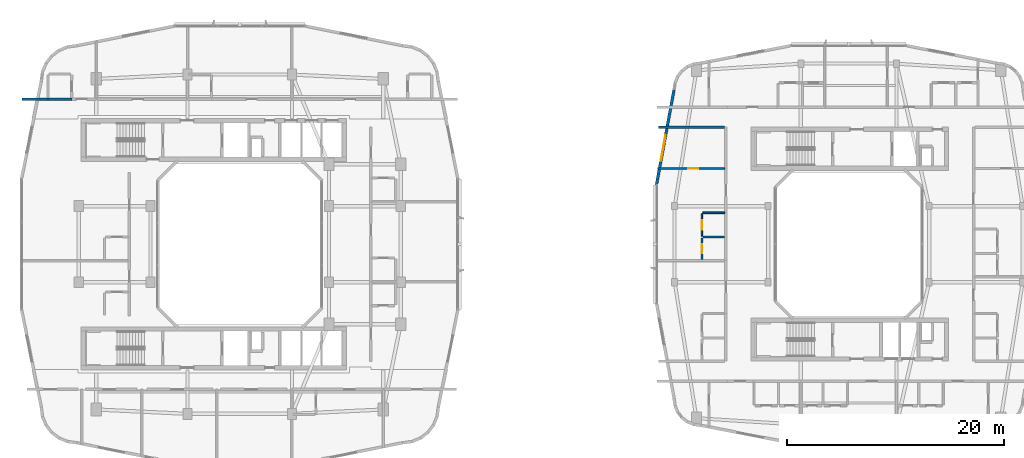
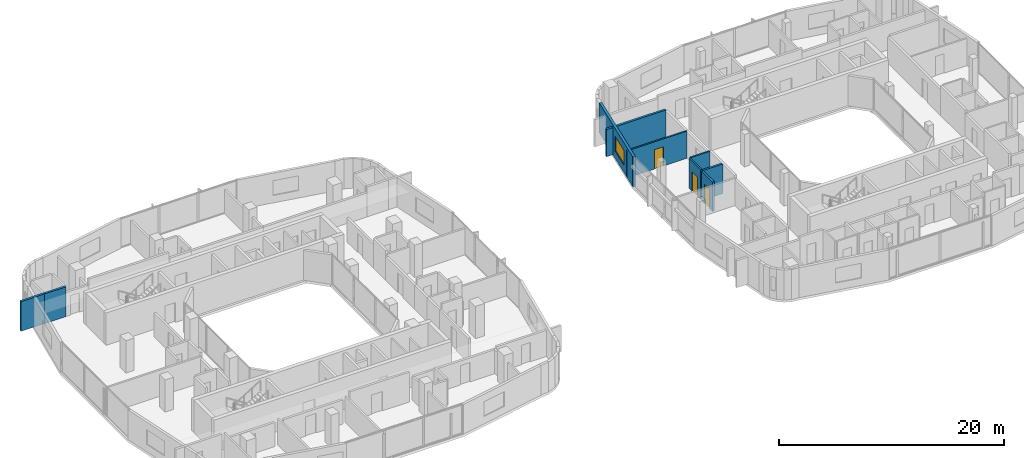
# One storey, part 15 of 26: 9 walls, 3 doors, 1 window, 4 openings.
"""IFC4 building model written with IfcOpenShell, lengths in metres."""

import ifcopenshell
import ifcopenshell.guid

model = None  # the IFC model being written
_history = None  # IfcOwnerHistory: only IFC2X3 demands one
_inside = {}  # id of a spatial element -> (the spatial element, [elements in it])
_under = {}  # id of a project, library or spatial element -> (it, [spatial elements below it])
_declared = {}  # id of a project -> (the project, [libraries it declares])
_typed = {}  # id of a type object -> (the type object, [elements of that type])
_made_of = {}  # id of a material, layer set ... -> (it, [elements and type objects made of it])


def new_model(schema):
    """Start an empty IFC model of exactly this schema.

    Asked for "IFC4X3", IfcOpenShell would pick the latest addendum, in which some entities
    have other attributes; the version numbers below select the first issue.
    IFC2X3 requires an IfcOwnerHistory on every rooted entity: one is made here for all.
    """
    global model, _history
    if schema == "IFC4X3":
        model = ifcopenshell.file(schema_version=(4, 3, 0, 0))
    else:
        model = ifcopenshell.file(schema=schema)
    _inside.clear()
    _under.clear()
    _declared.clear()
    _typed.clear()
    _made_of.clear()
    _history = None
    if model.schema == "IFC2X3":
        org = make("IfcOrganization", Name="unknown")
        user = make(
            "IfcPersonAndOrganization",
            ThePerson=make("IfcPerson", FamilyName="unknown"),
            TheOrganization=org,
        )
        app = make(
            "IfcApplication",
            ApplicationDeveloper=org,
            Version="unknown",
            ApplicationFullName="unknown",
            ApplicationIdentifier="unknown",
        )
        _history = make(
            "IfcOwnerHistory",
            OwningUser=user,
            OwningApplication=app,
            ChangeAction="ADDED",
            CreationDate=0,
        )
    return model


def make(cls, **values):
    """One entity of the class cls with the attributes given. An attribute that is None is left unset."""
    return model.create_entity(
        cls, **{name: value for name, value in values.items() if value is not None}
    )


def rooted(cls, **values):
    """An entity with a GlobalId (a new one), such as an element, a storey or a relation."""
    return make(cls, GlobalId=ifcopenshell.guid.new(), OwnerHistory=_history, **values)


def si_unit(unit_type, name, prefix=None):
    """IfcSIUnit, for example si_unit("LENGTHUNIT", "METRE", prefix="MILLI")."""
    return make("IfcSIUnit", UnitType=unit_type, Prefix=prefix, Name=name)


def derived_unit(unit_type, elements):
    """IfcDerivedUnit: a product of units, each with its exponent."""
    return make(
        "IfcDerivedUnit",
        Elements=[
            make("IfcDerivedUnitElement", Unit=unit, Exponent=power)
            for unit, power in elements
        ],
        UnitType=unit_type,
    )


def assignment(units):
    """IfcUnitAssignment: the units of a project."""
    return None if units is None else make("IfcUnitAssignment", Units=units)


def point(xyz):
    """IfcCartesianPoint."""
    return None if xyz is None else make("IfcCartesianPoint", Coordinates=xyz)


def direction(xyz):
    """IfcDirection."""
    return None if xyz is None else make("IfcDirection", DirectionRatios=xyz)


def frame(location, z_axis=None, x_axis=None):
    """IfcAxis2Placement3D, a coordinate frame: its origin and axes. An axis left out is left unset."""
    return make(
        "IfcAxis2Placement3D",
        Location=point(location),
        Axis=direction(z_axis),
        RefDirection=direction(x_axis),
    )


def frame_2d(location, x_axis=None):
    """IfcAxis2Placement2D, a coordinate frame in the plane: its origin and x axis."""
    return make(
        "IfcAxis2Placement2D", Location=point(location), RefDirection=direction(x_axis)
    )


def origin():
    """The frame at (0, 0, 0) with its axes left unset."""
    return frame((0.0, 0.0, 0.0))


def place(relative_to, where):
    """IfcLocalPlacement: puts the frame where relative to a parent placement (None: the world)."""
    return make(
        "IfcLocalPlacement", PlacementRelTo=relative_to, RelativePlacement=where
    )


def context(
    kind, dimensions, precision=None, world=None, true_north=None, identifier=None
):
    """IfcGeometricRepresentationContext, for example the 3D "Model" context."""
    return make(
        "IfcGeometricRepresentationContext",
        ContextIdentifier=identifier,
        ContextType=kind,
        CoordinateSpaceDimension=dimensions,
        Precision=precision,
        WorldCoordinateSystem=world,
        TrueNorth=true_north,
    )


def subcontext(parent, identifier, kind, view, scale=None):
    """IfcGeometricRepresentationSubContext, for example "Body" below "Model"."""
    return make(
        "IfcGeometricRepresentationSubContext",
        ContextIdentifier=identifier,
        ContextType=kind,
        ParentContext=parent,
        TargetScale=scale,
        TargetView=view,
    )


def project(units=None, contexts=None):
    """IfcProject with its units and contexts."""
    return rooted(
        "IfcProject",
        Name="project",
        RepresentationContexts=contexts,
        UnitsInContext=assignment(units),
    )


def spatial(cls, under=None, at=None, **own):
    """A site, building, storey or space (cls), placed at a placement, below another one or the project."""
    s = rooted(cls, ObjectPlacement=at, **own)
    if under is not None:
        _under.setdefault(under.id(), (under, []))[1].append(s)
    return s


def profile(cls, at=None, kind="AREA", **sizes):
    """A parametric profile (cls). Its sizes go by their IFC names, for example OverallWidth=200.0."""
    return make(cls, ProfileType=kind, Position=at, **sizes)


def rectangle(**sizes):
    """IfcRectangleProfileDef."""
    return profile("IfcRectangleProfileDef", **sizes)


def extrude(swept, where, along, depth):
    """IfcExtrudedAreaSolid: the profile swept, set in the frame where, extruded along a direction by depth."""
    return make(
        "IfcExtrudedAreaSolid",
        SweptArea=swept,
        Position=where,
        ExtrudedDirection=direction(along),
        Depth=depth,
    )


def shape(context_of_items, identifier, shape_type, items):
    """IfcShapeRepresentation: the items that make up one representation, for example the "Body"."""
    return make(
        "IfcShapeRepresentation",
        ContextOfItems=context_of_items,
        RepresentationIdentifier=identifier,
        RepresentationType=shape_type,
        Items=items,
    )


def material(Name=None, Category=None):
    """IfcMaterial."""
    return make("IfcMaterial", Name=Name, Category=Category)


def layer(
    of_material, thickness, ventilated=None, Name=None, Category=None, Priority=None
):
    """IfcMaterialLayer: one layer of a wall or slab, of a material (None: an air gap)."""
    return make(
        "IfcMaterialLayer",
        Material=of_material,
        LayerThickness=thickness,
        IsVentilated=ventilated,
        Name=Name,
        Category=Category,
        Priority=Priority,
    )


def layer_set(layers, Name=None):
    """IfcMaterialLayerSet."""
    return make("IfcMaterialLayerSet", MaterialLayers=layers, LayerSetName=Name)


def made_of(thing, what):
    """Note that an element or type object is made of a material, layer set ...; save() writes the relation."""
    if what is not None:
        _made_of.setdefault(what.id(), (what, []))[1].append(thing)
    return thing


def type_object(cls, material=None, **own):
    """A type object (cls), such as IfcWallType, which elements share."""
    return made_of(rooted(cls, **own), material)


def element(
    cls,
    number,
    at=None,
    inside=None,
    cuts=None,
    type_object=None,
    material=None,
    context=None,
    identifier="Body",
    shape_type=None,
    held_by="IfcProductDefinitionShape",
    body=None,
    shapes=None,
    **own,
):
    """One element of the class cls, such as IfcWall. Its Tag is "e" and its number.

    at: its placement. inside: the storey or other place that contains it. cuts: it is an
    opening in that element (IfcRelVoidsElement). A single representation is given by context,
    identifier, shape_type and body (its items); several are given by shapes. held_by: the class
    of the entity that holds the representations. save() writes the other relations.
    """
    e = rooted(cls, Tag="e%d" % number, ObjectPlacement=at, **own)
    if body is not None:
        shapes = [shape(context, identifier, shape_type, body)]
    if shapes is not None:
        e.Representation = make(held_by, Representations=shapes)
    if inside is not None:
        _inside.setdefault(inside.id(), (inside, []))[1].append(e)
    if cuts is not None:
        rooted(
            "IfcRelVoidsElement", RelatingBuildingElement=cuts, RelatedOpeningElement=e
        )
    if type_object is not None:
        _typed.setdefault(type_object.id(), (type_object, []))[1].append(e)
    return made_of(e, material)


def fill(opening, filler):
    """IfcRelFillsElement: the door or window that sits in an opening."""
    return rooted(
        "IfcRelFillsElement",
        RelatingOpeningElement=opening,
        RelatedBuildingElement=filler,
    )


def aggregate(whole, parts):
    """IfcRelAggregates: a whole, such as a stair, and the parts it consists of."""
    return rooted("IfcRelAggregates", RelatingObject=whole, RelatedObjects=parts)


def save(model, path):
    """Write the relations noted so far, then the file.

    IfcRelAggregates (storeys below a building ...), IfcRelContainedInSpatialStructure (elements
    in a storey), IfcRelDefinesByType, IfcRelAssociatesMaterial and IfcRelDeclares: one each for
    every whole, place, type object, material and project.
    """
    for whole, parts in _under.values():
        aggregate(whole, parts)
    for where, things in _inside.values():
        rooted(
            "IfcRelContainedInSpatialStructure",
            RelatedElements=things,
            RelatingStructure=where,
        )
    for kind, things in _typed.values():
        rooted("IfcRelDefinesByType", RelatedObjects=things, RelatingType=kind)
    for what, things in _made_of.values():
        rooted("IfcRelAssociatesMaterial", RelatedObjects=things, RelatingMaterial=what)
    for by, libraries in _declared.values():
        rooted("IfcRelDeclares", RelatingContext=by, RelatedDefinitions=libraries)
    model.write(path)


model = new_model("IFC4")

# Units and contexts
model_context = context("Model", 3, precision=1e-05, world=origin(), true_north=direction((0.0, 1.0)))
body_context = subcontext(model_context, "Body", "Model", "MODEL_VIEW")
ifc_project = project(units=[si_unit("LENGTHUNIT", "METRE"), si_unit("AREAUNIT", "SQUARE_METRE"), si_unit("VOLUMEUNIT", "CUBIC_METRE"), si_unit("PLANEANGLEUNIT", "RADIAN"), si_unit("MASSUNIT", "GRAM", prefix="KILO"), derived_unit("THERMALTRANSMITTANCEUNIT", [(si_unit("POWERUNIT", "WATT"), 1), (si_unit("LENGTHUNIT", "METRE"), -2), (si_unit("THERMODYNAMICTEMPERATUREUNIT", "KELVIN"), -1)])], contexts=[model_context])

# Site, building, storey
site_placement = place(None, origin())
site = spatial("IfcSite", under=ifc_project, at=site_placement, CompositionType="ELEMENT")
building_placement = place(site_placement, origin())
building = spatial("IfcBuilding", under=site, at=building_placement, Name="Kivonza Crest Hotel", CompositionType="ELEMENT")
storey_placement = place(building_placement, frame((0.0, 0.0, 109.0)))
storey = spatial("IfcBuildingStorey", under=building, at=storey_placement, Name="L29", CompositionType="ELEMENT", Elevation=109.0)

# Walls
ifc_material_1 = material(Name="Autoclaved aerated concrete blockwork", Category="masonry")
ifc_layer_1 = layer(ifc_material_1, 0.219970703125)
ifc_layer_set_1 = layer_set([ifc_layer_1], Name="Autoclaved aerated concrete blockwork")
wall_type_1 = type_object("IfcWallType", Name="WL-ACOU-220", PredefinedType="SOLIDWALL", material=ifc_layer_set_1)
wall_1_placement = place(storey_placement, frame((0.9599609375, 38.35009765625, 0.0), z_axis=(0.0, 0.0, 1.0), x_axis=(1.0, 0.0, 0.0)))
element("IfcWall", 1, at=wall_1_placement, inside=storey, type_object=wall_type_1, Name="L29 interior partition WA-L29-N01-XCORR", PredefinedType="SOLIDWALL", context=body_context, shape_type="SweptSolid", body=[
    extrude(rectangle(XDim=2.39013671875, YDim=0.219970703125, at=frame_2d((1.195068359375, 0.0))), origin(), (0.0, 0.0, 1.0), 3.219970703125),
])
wall_2_placement = place(storey_placement, frame((3.35009765625, 38.35009765625, 0.0), z_axis=(0.0, 0.0, 1.0), x_axis=(1.0, 0.0, 0.0)))
element("IfcWall", 2, at=wall_2_placement, inside=storey, type_object=wall_type_1, Name="L29 interior partition WA-L29-N01-BCORR", PredefinedType="SOLIDWALL", context=body_context, shape_type="SweptSolid", body=[
    extrude(rectangle(XDim=2.199951171875, YDim=0.219970703125, at=frame_2d((1.10009765625, 0.0))), origin(), (0.0, 0.0, 1.0), 3.219970703125),
])
wall_3_placement = place(storey_placement, frame((59.52001953125, 35.760009765625, 0.0), z_axis=(0.0, 0.0, 1.0), x_axis=(1.0, 0.0, 0.0)))
element("IfcWall", 3, at=wall_3_placement, inside=storey, type_object=wall_type_1, Name="L29 interior partition WA-L29-T2W-ENDN", PredefinedType="SOLIDWALL", context=body_context, shape_type="SweptSolid", body=[
    extrude(rectangle(XDim=6.080078125, YDim=0.219970703125, at=frame_2d((3.0400390625, 0.0))), origin(), (0.0, 0.0, 1.0), 2.945068359375),
])

# Wall, opening, window
ifc_material_2 = material(Name="Precast concrete C40/50", Category="concrete")
ifc_layer_2 = layer(ifc_material_2, 0.260009765625)
ifc_layer_set_2 = layer_set([ifc_layer_2], Name="Precast concrete C40/50")
wall_type_2 = type_object("IfcWallType", Name="WL-EXT-260", PredefinedType="STANDARD", material=ifc_layer_set_2)
wall_4_placement = place(storey_placement, frame((60.928955078125, 39.18408203125, 0.0), z_axis=(0.0, 0.0, 1.0), x_axis=(-0.181209963057, -0.983444431215, 0.0)))
wall_4 = element("IfcWall", 4, at=wall_4_placement, inside=storey, type_object=wall_type_2, Name="L29 T2 exterior insulated wall 34", PredefinedType="STANDARD", context=body_context, shape_type="SweptSolid", body=[
    extrude(rectangle(XDim=8.889404296875, YDim=0.260009765625, at=frame_2d((4.44482421875, 0.0))), origin(), (0.0, 0.0, 1.0), 3.25),
])
opening_1_placement = place(wall_4_placement, frame((4.214111328125, 0.0, 0.800048828125)))
opening_1 = element("IfcOpeningElement", 5, at=opening_1_placement, cuts=wall_4, Name="Opening WN-05", PredefinedType="OPENING", context=body_context, shape_type="SweptSolid", body=[
    extrude(rectangle(XDim=2.39990234375, YDim=1.60009765625, at=frame_2d((1.199951171875, 0.800048828125))), frame((0.0, 0.14013671875, 0.0), z_axis=(0.0, -1.0, 0.0), x_axis=(1.0, 0.0, 0.0)), (0.0, 0.0, 1.0), 0.280029296875),
])
ifc_material_3 = material(Name="Thermally broken bronze aluminium and low-E double glazing", Category="aluminium")
window_type = type_object("IfcWindowType", Name="WN-240x160", PartitioningType="TRIPLE_PANEL_VERTICAL", PredefinedType="WINDOW", material=ifc_material_3)
window_placement = place(opening_1_placement, origin())
window = element("IfcWindow", 6, at=window_placement, inside=storey, type_object=window_type, Name="L29 T2 facade window 34", OverallHeight=1.60009765625, OverallWidth=2.39990234375, PartitioningType="SINGLE_PANEL", PredefinedType="WINDOW", context=body_context, shape_type="SweptSolid", body=[
    extrude(rectangle(XDim=2.39990234375, YDim=1.60009765625, at=frame_2d((1.199951171875, 0.800048828125))), frame((0.0, 0.030029296875, 0.0), z_axis=(0.0, -1.0, 0.0), x_axis=(1.0, 0.0, 0.0)), (0.0, 0.0, 1.0), 0.06005859375),
])
fill(opening_1, window)

# Wall, opening, door
ifc_material_4 = material(Name="Twin-stud acoustic gypsum board partition", Category="gypsum")
ifc_layer_3 = layer(ifc_material_4, 0.14990234375)
ifc_layer_set_3 = layer_set([ifc_layer_3], Name="Twin-stud acoustic gypsum board partition")
wall_type_3 = type_object("IfcWallType", Name="WL-PART-150", PredefinedType="PARTITIONING", material=ifc_layer_set_3)
wall_5_placement = place(storey_placement, frame((59.4599609375, 31.9599609375, 0.0), z_axis=(0.0, 0.0, 1.0), x_axis=(1.0, 0.0, 0.0)))
wall_5 = element("IfcWall", 7, at=wall_5_placement, inside=storey, type_object=wall_type_3, Name="L29 interior partition WP-L29-A07-BD1", PredefinedType="PARTITIONING", context=body_context, shape_type="SweptSolid", body=[
    extrude(rectangle(XDim=6.14013671875, YDim=0.14990234375, at=frame_2d((3.070068359375, 0.0))), origin(), (0.0, 0.0, 1.0), 2.945068359375),
])
opening_2_placement = place(wall_5_placement, frame((2.7900390625, 0.0, 0.0)))
opening_2 = element("IfcOpeningElement", 8, at=opening_2_placement, cuts=wall_5, Name="Opening DI-90", PredefinedType="OPENING", context=body_context, shape_type="SweptSolid", body=[
    extrude(rectangle(XDim=0.89990234375, YDim=2.10009765625, at=frame_2d((0.449951171875, 1.050048828125))), frame((0.0, 0.0849609375, 0.0), z_axis=(0.0, -1.0, 0.0), x_axis=(1.0, 0.0, 0.0)), (0.0, 0.0, 1.0), 0.169921875),
])
ifc_material_5 = material(Name="Hardwood timber oak", Category="wood")
door_type_1 = type_object("IfcDoorType", Name="DR-INT-900", OperationType="NOTDEFINED", PredefinedType="DOOR", material=ifc_material_5)
door_1_placement = place(opening_2_placement, origin())
door_1 = element("IfcDoor", 9, at=door_1_placement, inside=storey, type_object=door_type_1, Name="L29 A07 bedroom door", OperationType="SINGLE_SWING_RIGHT", OverallHeight=2.10009765625, OverallWidth=0.89990234375, PredefinedType="DOOR", context=body_context, shape_type="SweptSolid", body=[
    extrude(rectangle(XDim=0.89990234375, YDim=2.10009765625, at=frame_2d((0.449951171875, 1.050048828125))), frame((0.0, 0.02490234375, 0.0), z_axis=(0.0, -1.0, 0.0), x_axis=(1.0, 0.0, 0.0)), (0.0, 0.0, 1.0), 0.050048828125),
])
fill(opening_2, door_1)

# Wall
wall_6_placement = place(storey_placement, frame((63.60009765625, 27.89990234375, 0.0), z_axis=(0.0, 0.0, 1.0), x_axis=(1.0, 0.0, 0.0)))
element("IfcWall", 10, at=wall_6_placement, inside=storey, type_object=wall_type_3, Name="L29 interior partition WP-L29-A07-KF", PredefinedType="PARTITIONING", context=body_context, shape_type="SweptSolid", body=[
    extrude(rectangle(XDim=2.0, YDim=0.14990234375, at=frame_2d((1.0, 0.0))), origin(), (0.0, 0.0, 1.0), 3.219970703125),
])

# Wall, opening, door
wall_7_placement = place(storey_placement, frame((63.5, 25.75, 0.0), z_axis=(0.0, 0.0, 1.0), x_axis=(0.0, 1.0, 0.0)))
wall_7 = element("IfcWall", 11, at=wall_7_placement, inside=storey, type_object=wall_type_3, Name="L29 interior partition WP-L29-A07-KSVC", PredefinedType="PARTITIONING", context=body_context, shape_type="SweptSolid", body=[
    extrude(rectangle(XDim=2.050048828125, YDim=0.14990234375, at=frame_2d((1.02490234375, 0.0))), origin(), (0.0, 0.0, 1.0), 3.219970703125),
])
opening_3_placement = place(wall_7_placement, frame((0.574951171875, 0.0, 0.0)))
opening_3 = element("IfcOpeningElement", 12, at=opening_3_placement, cuts=wall_7, Name="Opening DI-90", PredefinedType="OPENING", context=body_context, shape_type="SweptSolid", body=[
    extrude(rectangle(XDim=0.89990234375, YDim=2.10009765625, at=frame_2d((0.449951171875, 1.050048828125))), frame((0.0, 0.0849609375, 0.0), z_axis=(0.0, -1.0, 0.0), x_axis=(1.0, 0.0, 0.0)), (0.0, 0.0, 1.0), 0.169921875),
])
door_2_placement = place(opening_3_placement, origin())
door_2 = element("IfcDoor", 13, at=door_2_placement, inside=storey, type_object=door_type_1, Name="L29 A07 apartment kitchen door", OperationType="SINGLE_SWING_LEFT", OverallHeight=2.10009765625, OverallWidth=0.89990234375, PredefinedType="DOOR", context=body_context, shape_type="SweptSolid", body=[
    extrude(rectangle(XDim=0.89990234375, YDim=2.10009765625, at=frame_2d((0.449951171875, 1.050048828125))), frame((0.0, 0.02490234375, 0.0), z_axis=(0.0, -1.0, 0.0), x_axis=(1.0, 0.0, 0.0)), (0.0, 0.0, 1.0), 0.050048828125),
])
fill(opening_3, door_2)

# Wall
ifc_material_6 = material(Name="Moisture-resistant plumbing chase partition wall", Category="gypsum")
ifc_layer_4 = layer(ifc_material_6, 0.199951171875)
ifc_layer_set_4 = layer_set([ifc_layer_4], Name="Moisture-resistant plumbing chase partition wall")
wall_type_4 = type_object("IfcWallType", Name="WL-PLUMB-200", PredefinedType="PLUMBINGWALL", material=ifc_layer_set_4)
wall_8_placement = place(storey_placement, frame((63.60009765625, 25.64990234375, 0.0), z_axis=(0.0, 0.0, 1.0), x_axis=(1.0, 0.0, 0.0)))
element("IfcWall", 14, at=wall_8_placement, inside=storey, type_object=wall_type_4, Name="L29 interior partition WW-L29-A07-BK", PredefinedType="PLUMBINGWALL", context=body_context, shape_type="SweptSolid", body=[
    extrude(rectangle(XDim=2.0, YDim=0.199951171875, at=frame_2d((1.0, 0.0))), origin(), (0.0, 0.0, 1.0), 3.219970703125),
])

# Wall, opening, door
wall_9_placement = place(storey_placement, frame((63.5, 23.60009765625, 0.0), z_axis=(0.0, 0.0, 1.0), x_axis=(0.0, 1.0, 0.0)))
wall_9 = element("IfcWall", 15, at=wall_9_placement, inside=storey, type_object=wall_type_4, Name="L29 interior partition WW-L29-A07-BSVC", PredefinedType="PLUMBINGWALL", context=body_context, shape_type="SweptSolid", body=[
    extrude(rectangle(XDim=1.949951171875, YDim=0.199951171875, at=frame_2d((0.97509765625, 0.0))), origin(), (0.0, 0.0, 1.0), 3.219970703125),
])
opening_4_placement = place(wall_9_placement, frame((0.550048828125, 0.0, 0.0)))
opening_4 = element("IfcOpeningElement", 16, at=opening_4_placement, cuts=wall_9, Name="Opening DI-85", PredefinedType="OPENING", context=body_context, shape_type="SweptSolid", body=[
    extrude(rectangle(XDim=0.85009765625, YDim=2.10009765625, at=frame_2d((0.425048828125, 1.050048828125))), frame((0.0, 0.10986328125, 0.0), z_axis=(0.0, -1.0, 0.0), x_axis=(1.0, 0.0, 0.0)), (0.0, 0.0, 1.0), 0.219970703125),
])
door_type_2 = type_object("IfcDoorType", Name="DR-INT-850", OperationType="NOTDEFINED", PredefinedType="DOOR", material=ifc_material_5)
door_3_placement = place(opening_4_placement, origin())
door_3 = element("IfcDoor", 17, at=door_3_placement, inside=storey, type_object=door_type_2, Name="L29 A07 apartment bathroom door", OperationType="SINGLE_SWING_RIGHT", OverallHeight=2.10009765625, OverallWidth=0.85009765625, PredefinedType="DOOR", context=body_context, shape_type="SweptSolid", body=[
    extrude(rectangle(XDim=0.85009765625, YDim=2.10009765625, at=frame_2d((0.425048828125, 1.050048828125))), frame((0.0, 0.02490234375, 0.0), z_axis=(0.0, -1.0, 0.0), x_axis=(1.0, 0.0, 0.0)), (0.0, 0.0, 1.0), 0.050048828125),
])
fill(opening_4, door_3)

save(model, "model.ifc")
